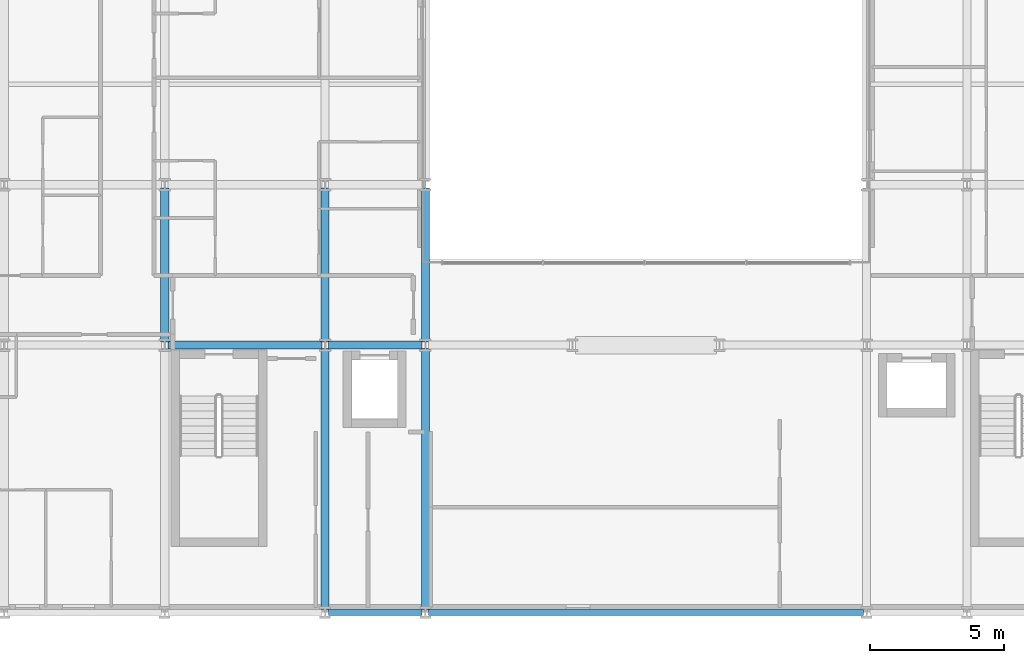
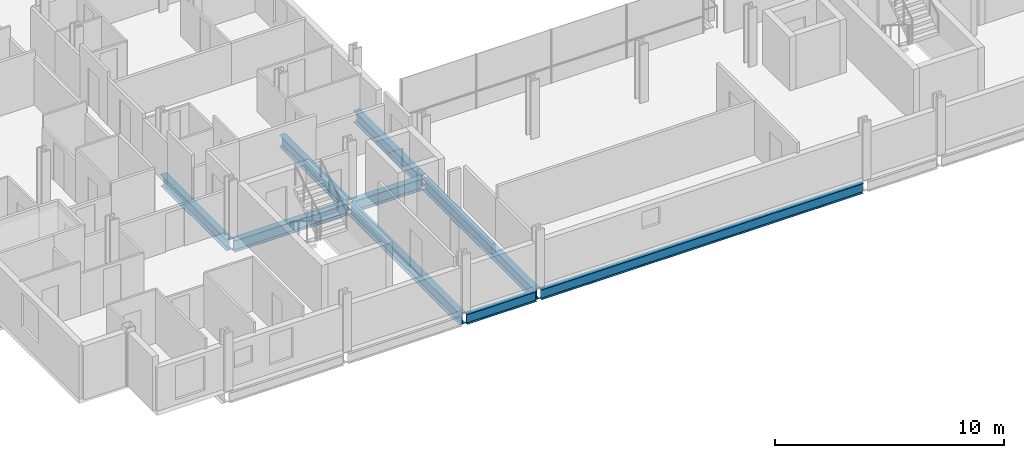
# One storey, part 3 of 38: 9 beams.
"""IFC4 building model written with IfcOpenShell, lengths in metres."""

from ifc_helpers import new_model, si_unit, direction, frame, origin, origin_2d, place, context, subcontext, project, spatial, i_section, extrude, material, material_profile, profile_set, type_object, element, save


model = new_model("IFC4")

# Units and contexts
model_context = context("Model", 3, precision=1e-05, world=origin(), true_north=direction((0.0, 1.0)))
body_context = subcontext(model_context, "Body", "Model", "MODEL_VIEW")
ifc_project = project(units=[si_unit("LENGTHUNIT", "METRE"), si_unit("AREAUNIT", "SQUARE_METRE"), si_unit("VOLUMEUNIT", "CUBIC_METRE"), si_unit("PLANEANGLEUNIT", "RADIAN"), si_unit("MASSUNIT", "GRAM", prefix="KILO")], contexts=[model_context])

# Site, building, storey
site_placement = place(None, origin())
site = spatial("IfcSite", under=ifc_project, at=site_placement, CompositionType="ELEMENT")
building_placement = place(site_placement, origin())
building = spatial("IfcBuilding", under=site, at=building_placement, Name="Brevholm Reach", CompositionType="ELEMENT")
storey_placement = place(building_placement, frame((0.0, 0.0, 46.60009765625)))
storey = spatial("IfcBuildingStorey", under=building, at=storey_placement, Name="L12", CompositionType="ELEMENT", Elevation=46.60009765625)

# Beams
ifc_material_1 = material(Name="Structural Steel S355J2", Category="steel")
ifc_material_profile_1 = material_profile(ifc_material_1, i_section(OverallWidth=0.210693359375, OverallDepth=0.53955078125, WebThickness=0.01171875, FlangeThickness=0.018798828125, FilletRadius=0.0126953125, at=origin_2d()), Name="UKB 533x210x109")
ifc_profile_set_1 = profile_set([ifc_material_profile_1], Name="Structural Steel S355J2")
beam_type_1 = type_object("IfcBeamType", Name="BM-SP539", PredefinedType="SPANDREL", material=ifc_profile_set_1)
beam_1_placement = place(storey_placement, frame((18.1201171875, 0.0, -0.499755859375), z_axis=(1.0, 0.0, 0.0), x_axis=(0.0, 1.0, 0.0)))
element("IfcBeam", 1, at=beam_1_placement, inside=storey, type_object=beam_type_1, Name="L12 SP-01B Framing Beam", PredefinedType="SPANDREL", context=body_context, shape_type="SweptSolid", body=[
    extrude(i_section(OverallWidth=0.210693359375, OverallDepth=0.53955078125, WebThickness=0.01171875, FlangeThickness=0.018798828125, FilletRadius=0.0126953125, at=origin_2d()), origin(), (0.0, 0.0, 1.0), 3.509765625),
])
beam_2_placement = place(storey_placement, frame((21.8701171875, 0.0, -0.499755859375), z_axis=(1.0, 0.0, 0.0), x_axis=(0.0, 1.0, 0.0)))
element("IfcBeam", 2, at=beam_2_placement, inside=storey, type_object=beam_type_1, Name="L12 SP-01B Framing Beam", PredefinedType="SPANDREL", context=body_context, shape_type="SweptSolid", body=[
    extrude(i_section(OverallWidth=0.210693359375, OverallDepth=0.53955078125, WebThickness=0.01171875, FlangeThickness=0.018798828125, FilletRadius=0.0126953125, at=origin_2d()), origin(), (0.0, 0.0, 1.0), 16.259765625),
])
ifc_material_2 = material(Name="Structural Steel S355J2", Category="steel")
ifc_material_profile_2 = material_profile(ifc_material_2, i_section(OverallWidth=0.30712890625, OverallDepth=0.6201171875, WebThickness=0.01416015625, FlangeThickness=0.023681640625, FilletRadius=0.0166015625, at=origin_2d()), Name="UKB 610x305x179")
ifc_profile_set_2 = profile_set([ifc_material_profile_2], Name="Structural Steel S355J2")
beam_type_2 = type_object("IfcBeamType", Name="BM-UKB610H", PredefinedType="USERDEFINED", material=ifc_profile_set_2)
beam_3_placement = place(storey_placement, frame((12.1201171875, 10.0, -0.540283203125), z_axis=(1.0, 0.0, 0.0), x_axis=(0.0, 1.0, 0.0)))
element("IfcBeam", 3, at=beam_3_placement, inside=storey, type_object=beam_type_2, Name="L12 G-06 Framing Beam", ObjectType="GIRDER", PredefinedType="USERDEFINED", context=body_context, shape_type="SweptSolid", body=[
    extrude(i_section(OverallWidth=0.30712890625, OverallDepth=0.6201171875, WebThickness=0.01416015625, FlangeThickness=0.023681640625, FilletRadius=0.0166015625, at=origin_2d()), origin(), (0.0, 0.0, 1.0), 5.759765625),
])
beam_4_placement = place(storey_placement, frame((18.1201171875, 10.0, -0.540283203125), z_axis=(1.0, 0.0, 0.0), x_axis=(0.0, 1.0, 0.0)))
element("IfcBeam", 4, at=beam_4_placement, inside=storey, type_object=beam_type_2, Name="L12 G-06 Framing Beam", ObjectType="GIRDER", PredefinedType="USERDEFINED", context=body_context, shape_type="SweptSolid", body=[
    extrude(i_section(OverallWidth=0.30712890625, OverallDepth=0.6201171875, WebThickness=0.01416015625, FlangeThickness=0.023681640625, FilletRadius=0.0166015625, at=origin_2d()), origin(), (0.0, 0.0, 1.0), 3.509765625),
])
beam_5_placement = place(storey_placement, frame((12.0, 10.1201171875, -0.540283203125), z_axis=(0.0, 1.0, 0.0), x_axis=(-1.0, 0.0, 0.0)))
element("IfcBeam", 5, at=beam_5_placement, inside=storey, type_object=beam_type_2, Name="L12 G-06 Framing Beam", ObjectType="GIRDER", PredefinedType="USERDEFINED", context=body_context, shape_type="SweptSolid", body=[
    extrude(i_section(OverallWidth=0.30712890625, OverallDepth=0.6201171875, WebThickness=0.01416015625, FlangeThickness=0.023681640625, FilletRadius=0.0166015625, at=origin_2d()), origin(), (0.0, 0.0, 1.0), 5.759765625),
])
beam_6_placement = place(storey_placement, frame((18.0, 0.1201171875, -0.540283203125), z_axis=(0.0, 1.0, 0.0), x_axis=(-1.0, 0.0, 0.0)))
element("IfcBeam", 6, at=beam_6_placement, inside=storey, type_object=beam_type_2, Name="L12 G-06 Framing Beam", ObjectType="GIRDER", PredefinedType="USERDEFINED", context=body_context, shape_type="SweptSolid", body=[
    extrude(i_section(OverallWidth=0.30712890625, OverallDepth=0.6201171875, WebThickness=0.01416015625, FlangeThickness=0.023681640625, FilletRadius=0.0166015625, at=origin_2d()), origin(), (0.0, 0.0, 1.0), 9.759765625),
])
beam_7_placement = place(storey_placement, frame((18.0, 10.1201171875, -0.540283203125), z_axis=(0.0, 1.0, 0.0), x_axis=(-1.0, 0.0, 0.0)))
element("IfcBeam", 7, at=beam_7_placement, inside=storey, type_object=beam_type_2, Name="L12 G-06 Framing Beam", ObjectType="GIRDER", PredefinedType="USERDEFINED", context=body_context, shape_type="SweptSolid", body=[
    extrude(i_section(OverallWidth=0.30712890625, OverallDepth=0.6201171875, WebThickness=0.01416015625, FlangeThickness=0.023681640625, FilletRadius=0.0166015625, at=origin_2d()), origin(), (0.0, 0.0, 1.0), 5.759765625),
])
beam_8_placement = place(storey_placement, frame((21.75, 0.1201171875, -0.540283203125), z_axis=(0.0, 1.0, 0.0), x_axis=(-1.0, 0.0, 0.0)))
element("IfcBeam", 8, at=beam_8_placement, inside=storey, type_object=beam_type_2, Name="L12 G-06 Framing Beam", ObjectType="GIRDER", PredefinedType="USERDEFINED", context=body_context, shape_type="SweptSolid", body=[
    extrude(i_section(OverallWidth=0.30712890625, OverallDepth=0.6201171875, WebThickness=0.01416015625, FlangeThickness=0.023681640625, FilletRadius=0.0166015625, at=origin_2d()), origin(), (0.0, 0.0, 1.0), 9.759765625),
])
beam_9_placement = place(storey_placement, frame((21.75, 10.1201171875, -0.540283203125), z_axis=(0.0, 1.0, 0.0), x_axis=(-1.0, 0.0, 0.0)))
element("IfcBeam", 9, at=beam_9_placement, inside=storey, type_object=beam_type_2, Name="L12 G-06 Framing Beam", ObjectType="GIRDER", PredefinedType="USERDEFINED", context=body_context, shape_type="SweptSolid", body=[
    extrude(i_section(OverallWidth=0.30712890625, OverallDepth=0.6201171875, WebThickness=0.01416015625, FlangeThickness=0.023681640625, FilletRadius=0.0166015625, at=origin_2d()), origin(), (0.0, 0.0, 1.0), 5.759765625),
])

save(model, "model.ifc")
